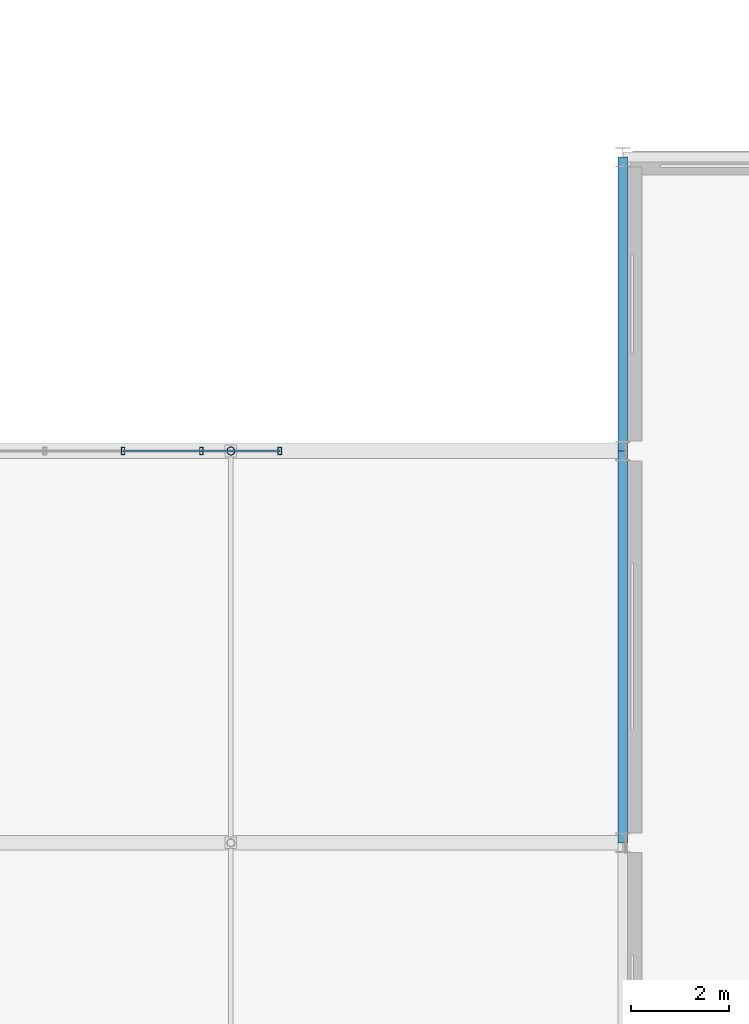
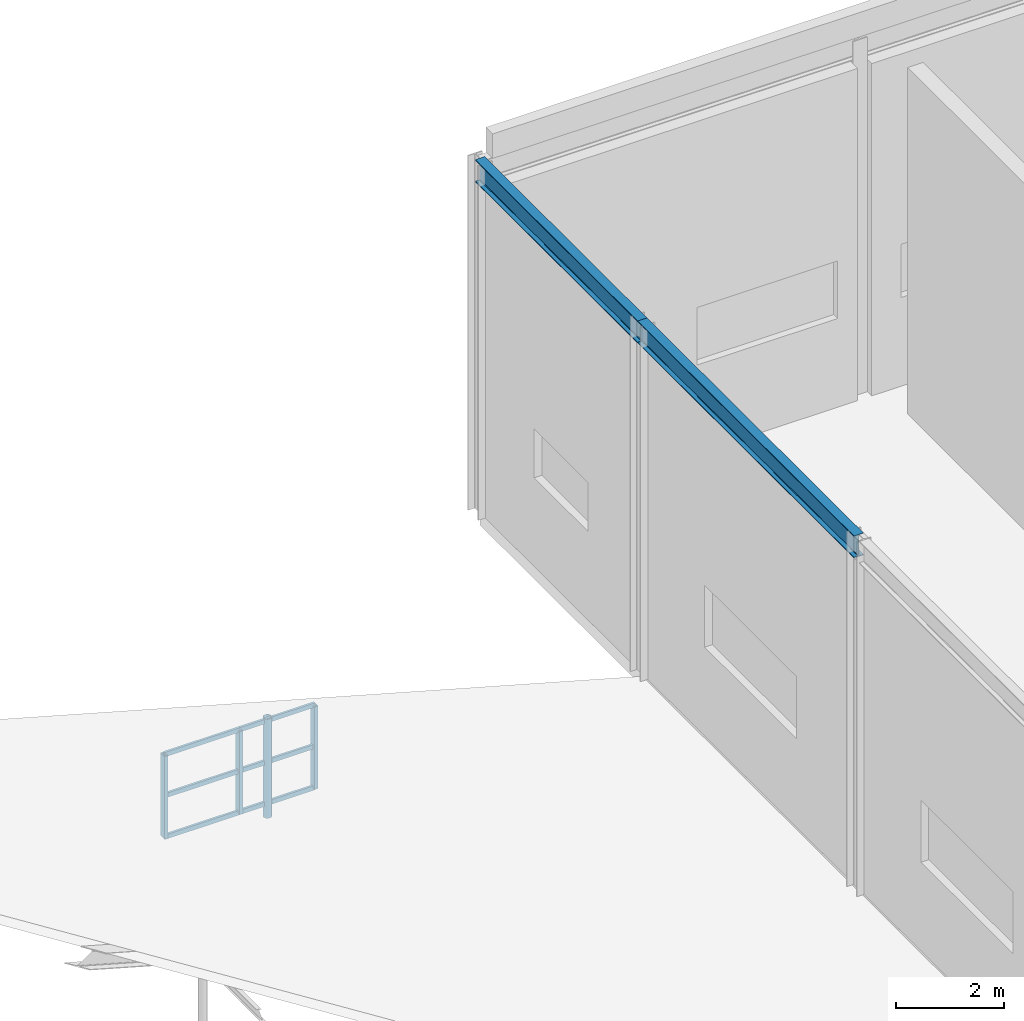
# One storey, part 35 of 49: 10 members, 2 beams, 1 element without a shape of its own.
"""IFC4 building model written with IfcOpenShell, lengths in metres."""

import ifcopenshell
import ifcopenshell.guid

model = None  # the IFC model being written
_history = None  # IfcOwnerHistory: only IFC2X3 demands one
_inside = {}  # id of a spatial element -> (the spatial element, [elements in it])
_under = {}  # id of a project, library or spatial element -> (it, [spatial elements below it])
_declared = {}  # id of a project -> (the project, [libraries it declares])
_typed = {}  # id of a type object -> (the type object, [elements of that type])
_made_of = {}  # id of a material, layer set ... -> (it, [elements and type objects made of it])


def new_model(schema):
    """Start an empty IFC model of exactly this schema.

    Asked for "IFC4X3", IfcOpenShell would pick the latest addendum, in which some entities
    have other attributes; the version numbers below select the first issue.
    IFC2X3 requires an IfcOwnerHistory on every rooted entity: one is made here for all.
    """
    global model, _history
    if schema == "IFC4X3":
        model = ifcopenshell.file(schema_version=(4, 3, 0, 0))
    else:
        model = ifcopenshell.file(schema=schema)
    _inside.clear()
    _under.clear()
    _declared.clear()
    _typed.clear()
    _made_of.clear()
    _history = None
    if model.schema == "IFC2X3":
        org = make("IfcOrganization", Name="unknown")
        user = make(
            "IfcPersonAndOrganization",
            ThePerson=make("IfcPerson", FamilyName="unknown"),
            TheOrganization=org,
        )
        app = make(
            "IfcApplication",
            ApplicationDeveloper=org,
            Version="unknown",
            ApplicationFullName="unknown",
            ApplicationIdentifier="unknown",
        )
        _history = make(
            "IfcOwnerHistory",
            OwningUser=user,
            OwningApplication=app,
            ChangeAction="ADDED",
            CreationDate=0,
        )
    return model


def make(cls, **values):
    """One entity of the class cls with the attributes given. An attribute that is None is left unset."""
    return model.create_entity(
        cls, **{name: value for name, value in values.items() if value is not None}
    )


def rooted(cls, **values):
    """An entity with a GlobalId (a new one), such as an element, a storey or a relation."""
    return make(cls, GlobalId=ifcopenshell.guid.new(), OwnerHistory=_history, **values)


def si_unit(unit_type, name, prefix=None):
    """IfcSIUnit, for example si_unit("LENGTHUNIT", "METRE", prefix="MILLI")."""
    return make("IfcSIUnit", UnitType=unit_type, Prefix=prefix, Name=name)


def assignment(units):
    """IfcUnitAssignment: the units of a project."""
    return None if units is None else make("IfcUnitAssignment", Units=units)


def point(xyz):
    """IfcCartesianPoint."""
    return None if xyz is None else make("IfcCartesianPoint", Coordinates=xyz)


def direction(xyz):
    """IfcDirection."""
    return None if xyz is None else make("IfcDirection", DirectionRatios=xyz)


def frame(location, z_axis=None, x_axis=None):
    """IfcAxis2Placement3D, a coordinate frame: its origin and axes. An axis left out is left unset."""
    return make(
        "IfcAxis2Placement3D",
        Location=point(location),
        Axis=direction(z_axis),
        RefDirection=direction(x_axis),
    )


def frame_2d(location, x_axis=None):
    """IfcAxis2Placement2D, a coordinate frame in the plane: its origin and x axis."""
    return make(
        "IfcAxis2Placement2D", Location=point(location), RefDirection=direction(x_axis)
    )


def origin():
    """The frame at (0, 0, 0) with its axes left unset."""
    return frame((0.0, 0.0, 0.0))


def origin_2d():
    """The frame at (0, 0) in the plane with its x axis left unset."""
    return frame_2d((0.0, 0.0))


def place(relative_to, where):
    """IfcLocalPlacement: puts the frame where relative to a parent placement (None: the world)."""
    return make(
        "IfcLocalPlacement", PlacementRelTo=relative_to, RelativePlacement=where
    )


def context(
    kind, dimensions, precision=None, world=None, true_north=None, identifier=None
):
    """IfcGeometricRepresentationContext, for example the 3D "Model" context."""
    return make(
        "IfcGeometricRepresentationContext",
        ContextIdentifier=identifier,
        ContextType=kind,
        CoordinateSpaceDimension=dimensions,
        Precision=precision,
        WorldCoordinateSystem=world,
        TrueNorth=true_north,
    )


def subcontext(parent, identifier, kind, view, scale=None):
    """IfcGeometricRepresentationSubContext, for example "Body" below "Model"."""
    return make(
        "IfcGeometricRepresentationSubContext",
        ContextIdentifier=identifier,
        ContextType=kind,
        ParentContext=parent,
        TargetScale=scale,
        TargetView=view,
    )


def project(units=None, contexts=None):
    """IfcProject with its units and contexts."""
    return rooted(
        "IfcProject",
        Name="project",
        RepresentationContexts=contexts,
        UnitsInContext=assignment(units),
    )


def spatial(cls, under=None, at=None, **own):
    """A site, building, storey or space (cls), placed at a placement, below another one or the project."""
    s = rooted(cls, ObjectPlacement=at, **own)
    if under is not None:
        _under.setdefault(under.id(), (under, []))[1].append(s)
    return s


def profile(cls, at=None, kind="AREA", **sizes):
    """A parametric profile (cls). Its sizes go by their IFC names, for example OverallWidth=200.0."""
    return make(cls, ProfileType=kind, Position=at, **sizes)


def hollow_rectangle(**sizes):
    """IfcRectangleHollowProfileDef."""
    return profile("IfcRectangleHollowProfileDef", **sizes)


def hollow_circle(**sizes):
    """IfcCircleHollowProfileDef."""
    return profile("IfcCircleHollowProfileDef", **sizes)


def i_section(**sizes):
    """IfcIShapeProfileDef."""
    return profile("IfcIShapeProfileDef", **sizes)


def extrude(swept, where, along, depth):
    """IfcExtrudedAreaSolid: the profile swept, set in the frame where, extruded along a direction by depth."""
    return make(
        "IfcExtrudedAreaSolid",
        SweptArea=swept,
        Position=where,
        ExtrudedDirection=direction(along),
        Depth=depth,
    )


def shape(context_of_items, identifier, shape_type, items):
    """IfcShapeRepresentation: the items that make up one representation, for example the "Body"."""
    return make(
        "IfcShapeRepresentation",
        ContextOfItems=context_of_items,
        RepresentationIdentifier=identifier,
        RepresentationType=shape_type,
        Items=items,
    )


def material(Name=None, Category=None):
    """IfcMaterial."""
    return make("IfcMaterial", Name=Name, Category=Category)


def material_profile(
    of_material, cross_section, Name=None, Category=None, Priority=None
):
    """IfcMaterialProfile: a cross section and its material."""
    return make(
        "IfcMaterialProfile",
        Name=Name,
        Material=of_material,
        Profile=cross_section,
        Priority=Priority,
        Category=Category,
    )


def profile_set(profiles, Name=None, composite=None):
    """IfcMaterialProfileSet."""
    return make(
        "IfcMaterialProfileSet",
        Name=Name,
        MaterialProfiles=profiles,
        CompositeProfile=composite,
    )


def made_of(thing, what):
    """Note that an element or type object is made of a material, layer set ...; save() writes the relation."""
    if what is not None:
        _made_of.setdefault(what.id(), (what, []))[1].append(thing)
    return thing


def type_object(cls, material=None, **own):
    """A type object (cls), such as IfcWallType, which elements share."""
    return made_of(rooted(cls, **own), material)


def element(
    cls,
    number,
    at=None,
    inside=None,
    cuts=None,
    type_object=None,
    material=None,
    context=None,
    identifier="Body",
    shape_type=None,
    held_by="IfcProductDefinitionShape",
    body=None,
    shapes=None,
    **own,
):
    """One element of the class cls, such as IfcWall. Its Tag is "e" and its number.

    at: its placement. inside: the storey or other place that contains it. cuts: it is an
    opening in that element (IfcRelVoidsElement). A single representation is given by context,
    identifier, shape_type and body (its items); several are given by shapes. held_by: the class
    of the entity that holds the representations. save() writes the other relations.
    """
    e = rooted(cls, Tag="e%d" % number, ObjectPlacement=at, **own)
    if body is not None:
        shapes = [shape(context, identifier, shape_type, body)]
    if shapes is not None:
        e.Representation = make(held_by, Representations=shapes)
    if inside is not None:
        _inside.setdefault(inside.id(), (inside, []))[1].append(e)
    if cuts is not None:
        rooted(
            "IfcRelVoidsElement", RelatingBuildingElement=cuts, RelatedOpeningElement=e
        )
    if type_object is not None:
        _typed.setdefault(type_object.id(), (type_object, []))[1].append(e)
    return made_of(e, material)


def aggregate(whole, parts):
    """IfcRelAggregates: a whole, such as a stair, and the parts it consists of."""
    return rooted("IfcRelAggregates", RelatingObject=whole, RelatedObjects=parts)


def save(model, path):
    """Write the relations noted so far, then the file.

    IfcRelAggregates (storeys below a building ...), IfcRelContainedInSpatialStructure (elements
    in a storey), IfcRelDefinesByType, IfcRelAssociatesMaterial and IfcRelDeclares: one each for
    every whole, place, type object, material and project.
    """
    for whole, parts in _under.values():
        aggregate(whole, parts)
    for where, things in _inside.values():
        rooted(
            "IfcRelContainedInSpatialStructure",
            RelatedElements=things,
            RelatingStructure=where,
        )
    for kind, things in _typed.values():
        rooted("IfcRelDefinesByType", RelatedObjects=things, RelatingType=kind)
    for what, things in _made_of.values():
        rooted("IfcRelAssociatesMaterial", RelatedObjects=things, RelatingMaterial=what)
    for by, libraries in _declared.values():
        rooted("IfcRelDeclares", RelatingContext=by, RelatedDefinitions=libraries)
    model.write(path)


model = new_model("IFC4")

# Units and contexts
model_context = context("Model", 3, precision=1e-05, world=origin(), true_north=direction((0.0, 1.0)))
body_context = subcontext(model_context, "Body", "Model", "MODEL_VIEW")
ifc_project = project(units=[si_unit("LENGTHUNIT", "METRE"), si_unit("AREAUNIT", "SQUARE_METRE"), si_unit("VOLUMEUNIT", "CUBIC_METRE"), si_unit("PLANEANGLEUNIT", "RADIAN"), si_unit("MASSUNIT", "GRAM", prefix="KILO")], contexts=[model_context])

# Site, building, storey
site_placement = place(None, origin())
site = spatial("IfcSite", under=ifc_project, at=site_placement, CompositionType="ELEMENT")
building_placement = place(site_placement, origin())
building = spatial("IfcBuilding", under=site, at=building_placement, Name="Sundkrona Museum", CompositionType="ELEMENT")
storey_placement = place(building_placement, frame((0.0, 0.0, 26.0)))
storey = spatial("IfcBuildingStorey", under=building, at=storey_placement, Name="L05", CompositionType="ELEMENT", Elevation=26.0)

# Curtain wall, members
ifc_material_1 = material(Name="Unitised Aluminium-Steel and Ceramic-Clad Curtain Walling", Category="steel")
curtain_wall_type = type_object("IfcCurtainWallType", Name="CW-SW-240x13", PredefinedType="NOTDEFINED", material=ifc_material_1)
curtain_wall_placement = place(storey_placement, origin())
curtain_wall = element("IfcCurtainWall", 1, at=curtain_wall_placement, inside=storey, type_object=curtain_wall_type, Name="Atrium N Glazed Gable Tympanum 4", PredefinedType="NOTDEFINED")
ifc_material_2 = material(Name="Aluminium EN AW-6060 T66", Category="aluminium")
ifc_material_profile_1 = material_profile(ifc_material_2, hollow_rectangle(XDim=0.074951171875, YDim=0.14990234375, WallThickness=0.00634765625, at=origin_2d()), Name="RHS 150x75x6.3")
ifc_profile_set_1 = profile_set([ifc_material_profile_1], Name="Aluminium EN AW-6060 T66")
member_type_1 = type_object("IfcMemberType", Name="ML-150", PredefinedType="MULLION", material=ifc_profile_set_1)
member_1_placement = place(storey_placement, frame((109.800048828125, 40.0, -0.10009765625), z_axis=(0.0, 0.0, 1.0), x_axis=(1.0, 0.0, 0.0)))
member_1 = element("IfcMember", 2, at=member_1_placement, type_object=member_type_1, Name="CW-ATR-GBL-N4 Mullion 03", PredefinedType="MULLION", context=body_context, shape_type="SweptSolid", body=[
    extrude(hollow_rectangle(XDim=0.074951171875, YDim=0.14990234375, WallThickness=0.00634765625, at=origin_2d()), origin(), (0.0, 0.0, 1.0), 1.864013671875),
])
member_2_placement = place(storey_placement, frame((111.39990234375, 40.0, -0.10009765625), z_axis=(0.0, 0.0, 1.0), x_axis=(1.0, 0.0, 0.0)))
member_2 = element("IfcMember", 3, at=member_2_placement, type_object=member_type_1, Name="CW-ATR-GBL-N4 Mullion 04", PredefinedType="MULLION", context=body_context, shape_type="SweptSolid", body=[
    extrude(hollow_rectangle(XDim=0.074951171875, YDim=0.14990234375, WallThickness=0.00634765625, at=origin_2d()), origin(), (0.0, 0.0, 1.0), 1.864013671875),
])
member_3_placement = place(storey_placement, frame((113.0, 40.0, -0.10009765625), z_axis=(0.0, 0.0, 1.0), x_axis=(1.0, 0.0, 0.0)))
member_3 = element("IfcMember", 4, at=member_3_placement, type_object=member_type_1, Name="CW-ATR-GBL-N4 Mullion 05", PredefinedType="MULLION", context=body_context, shape_type="SweptSolid", body=[
    extrude(hollow_rectangle(XDim=0.074951171875, YDim=0.14990234375, WallThickness=0.00634765625, at=origin_2d()), origin(), (0.0, 0.0, 1.0), 1.864013671875),
])

# Beams
ifc_material_3 = material(Name="Steel S355J2", Category="steel")
ifc_material_profile_2 = material_profile(ifc_material_3, i_section(OverallWidth=0.199951171875, OverallDepth=0.5, WebThickness=0.01025390625, FlangeThickness=0.01611328125, FilletRadius=0.02099609375, at=origin_2d()), Name="IPE 500")
ifc_profile_set_2 = profile_set([ifc_material_profile_2], Name="Steel S355J2")
beam_type = type_object("IfcBeamType", Name="SP-IPE500", PredefinedType="SPANDREL", material=ifc_profile_set_2)
beam_1_placement = place(storey_placement, frame((120.0, 32.0, 7.75), z_axis=(0.0, 1.0, 0.0), x_axis=(-1.0, 0.0, 0.0)))
element("IfcBeam", 5, at=beam_1_placement, inside=storey, type_object=beam_type, Name="L05 Roof Ring Girder Y-1790", PredefinedType="SPANDREL", context=body_context, shape_type="SweptSolid", body=[
    extrude(i_section(OverallWidth=0.199951171875, OverallDepth=0.5, WebThickness=0.01025390625, FlangeThickness=0.01611328125, FilletRadius=0.02099609375, at=origin_2d()), origin(), (0.0, 0.0, 1.0), 8.0),
])
beam_2_placement = place(storey_placement, frame((120.0, 40.0, 7.75), z_axis=(0.0, 1.0, 0.0), x_axis=(-1.0, 0.0, 0.0)))
element("IfcBeam", 6, at=beam_2_placement, inside=storey, type_object=beam_type, Name="L05 Roof Ring Girder Y-1791", PredefinedType="SPANDREL", context=body_context, shape_type="SweptSolid", body=[
    extrude(i_section(OverallWidth=0.199951171875, OverallDepth=0.5, WebThickness=0.01025390625, FlangeThickness=0.01611328125, FilletRadius=0.02099609375, at=origin_2d()), origin(), (0.0, 0.0, 1.0), 6.0),
])

# Member
ifc_material_profile_3 = material_profile(ifc_material_3, hollow_circle(Radius=0.084228515625, WallThickness=0.008056640625, at=origin_2d()), Name="CHS 168.3x8.0")
ifc_profile_set_3 = profile_set([ifc_material_profile_3], Name="Steel S355J2")
member_type_2 = type_object("IfcMemberType", Name="ST-CHS168", PredefinedType="STRUT", material=ifc_profile_set_3)
member_4_placement = place(storey_placement, frame((112.0, 40.0, -0.39990234375), z_axis=(0.0, 0.0, 1.0), x_axis=(1.0, 0.0, 0.0)))
element("IfcMember", 7, at=member_4_placement, inside=storey, type_object=member_type_2, Name="RFS-1 Atrium Truss 6 Web Strut 112", PredefinedType="STRUT", context=body_context, shape_type="SweptSolid", body=[
    extrude(hollow_circle(Radius=0.084228515625, WallThickness=0.008056640625, at=origin_2d()), origin(), (0.0, 0.0, 1.0), 2.237548828125),
])

ifc_material_profile_4 = material_profile(ifc_material_2, hollow_rectangle(XDim=0.050048828125, YDim=0.10009765625, WallThickness=0.0048828125, at=origin_2d()), Name="RHS 100x50x5.0")
ifc_profile_set_4 = profile_set([ifc_material_profile_4], Name="Aluminium EN AW-6060 T66")
member_type_3 = type_object("IfcMemberType", Name="TR-100", PredefinedType="USERDEFINED", material=ifc_profile_set_4)
member_5_placement = place(storey_placement, frame((109.800048828125, 40.0, -0.10009765625), z_axis=(1.0, 0.0, 0.0), x_axis=(0.0, 1.0, 0.0)))
member_5 = element("IfcMember", 8, at=member_5_placement, type_object=member_type_3, Name="CW-ATR-GBL-N4 Transom 07", ObjectType="TRANSOM", PredefinedType="USERDEFINED", context=body_context, shape_type="SweptSolid", body=[
    extrude(hollow_rectangle(XDim=0.050048828125, YDim=0.10009765625, WallThickness=0.0048828125, at=origin_2d()), origin(), (0.0, 0.0, 1.0), 1.599853515625),
])

member_6_placement = place(storey_placement, frame((109.800048828125, 40.0, 0.83203125), z_axis=(1.0, 0.0, 0.0), x_axis=(0.0, 1.0, 0.0)))
member_6 = element("IfcMember", 9, at=member_6_placement, type_object=member_type_3, Name="CW-ATR-GBL-N4 Transom 08", ObjectType="TRANSOM", PredefinedType="USERDEFINED", context=body_context, shape_type="SweptSolid", body=[
    extrude(hollow_rectangle(XDim=0.050048828125, YDim=0.10009765625, WallThickness=0.0048828125, at=origin_2d()), origin(), (0.0, 0.0, 1.0), 1.599853515625),
])

member_7_placement = place(storey_placement, frame((109.800048828125, 40.0, 1.763916015625), z_axis=(1.0, 0.0, 0.0), x_axis=(0.0, 1.0, 0.0)))
member_7 = element("IfcMember", 10, at=member_7_placement, type_object=member_type_3, Name="CW-ATR-GBL-N4 Transom 09", ObjectType="TRANSOM", PredefinedType="USERDEFINED", context=body_context, shape_type="SweptSolid", body=[
    extrude(hollow_rectangle(XDim=0.050048828125, YDim=0.10009765625, WallThickness=0.0048828125, at=origin_2d()), origin(), (0.0, 0.0, 1.0), 1.599853515625),
])

member_8_placement = place(storey_placement, frame((111.39990234375, 40.0, -0.10009765625), z_axis=(1.0, 0.0, 0.0), x_axis=(0.0, 1.0, 0.0)))
member_8 = element("IfcMember", 11, at=member_8_placement, type_object=member_type_3, Name="CW-ATR-GBL-N4 Transom 10", ObjectType="TRANSOM", PredefinedType="USERDEFINED", context=body_context, shape_type="SweptSolid", body=[
    extrude(hollow_rectangle(XDim=0.050048828125, YDim=0.10009765625, WallThickness=0.0048828125, at=origin_2d()), origin(), (0.0, 0.0, 1.0), 1.60009765625),
])

member_9_placement = place(storey_placement, frame((111.39990234375, 40.0, 0.83203125), z_axis=(1.0, 0.0, 0.0), x_axis=(0.0, 1.0, 0.0)))
member_9 = element("IfcMember", 12, at=member_9_placement, type_object=member_type_3, Name="CW-ATR-GBL-N4 Transom 11", ObjectType="TRANSOM", PredefinedType="USERDEFINED", context=body_context, shape_type="SweptSolid", body=[
    extrude(hollow_rectangle(XDim=0.050048828125, YDim=0.10009765625, WallThickness=0.0048828125, at=origin_2d()), origin(), (0.0, 0.0, 1.0), 1.60009765625),
])

member_10_placement = place(storey_placement, frame((111.39990234375, 40.0, 1.763916015625), z_axis=(1.0, 0.0, 0.0), x_axis=(0.0, 1.0, 0.0)))
member_10 = element("IfcMember", 13, at=member_10_placement, type_object=member_type_3, Name="CW-ATR-GBL-N4 Transom 12", ObjectType="TRANSOM", PredefinedType="USERDEFINED", context=body_context, shape_type="SweptSolid", body=[
    extrude(hollow_rectangle(XDim=0.050048828125, YDim=0.10009765625, WallThickness=0.0048828125, at=origin_2d()), origin(), (0.0, 0.0, 1.0), 1.60009765625),
])

aggregate(curtain_wall, [member_1, member_2, member_3, member_5, member_6, member_7, member_8, member_9, member_10])

save(model, "model.ifc")
